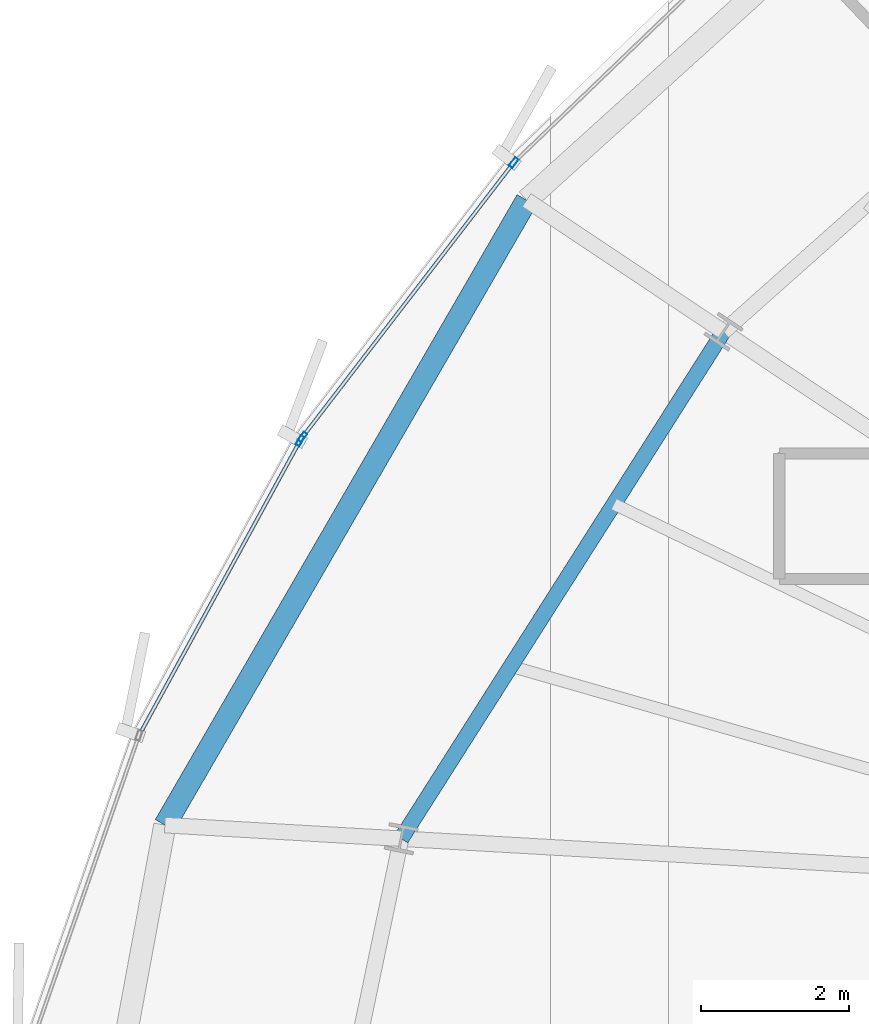
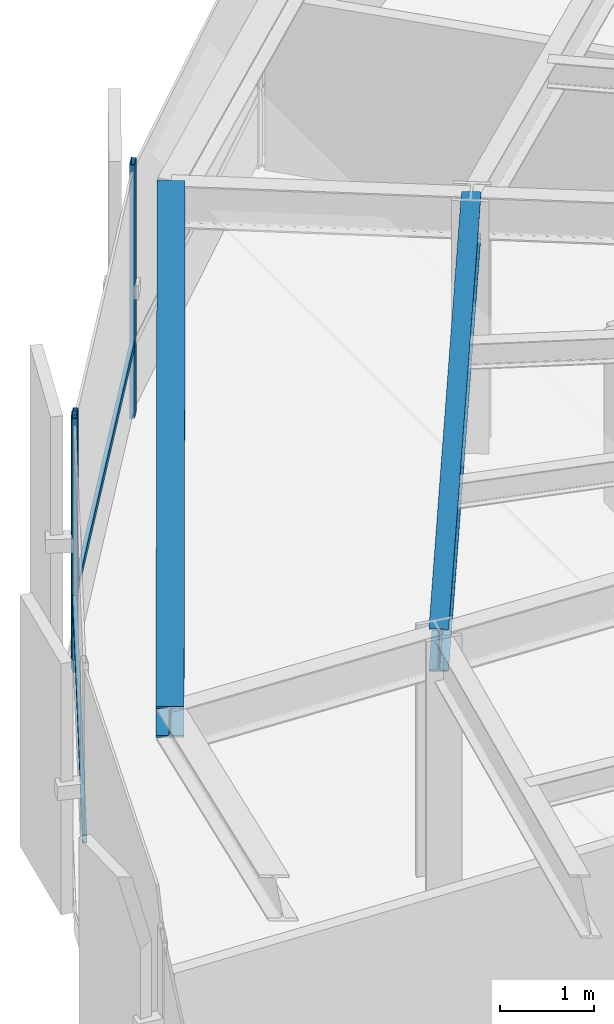
# One storey, part 17 of 32: 5 members, 2 beams, 2 elements without a shape of their own.
"""IFC4 building model written with IfcOpenShell, lengths in metres."""

from ifc_helpers import new_model, si_unit, direction, frame, origin, origin_2d, place, context, subcontext, project, spatial, hollow_rectangle, i_section, extrude, source, transform, mapped, material, layer, layer_set, material_profile, profile_set, type_object, element, aggregate, save


model = new_model("IFC4")

# Units and contexts
model_context = context("Model", 3, precision=1e-05, world=origin(), true_north=direction((0.0, 1.0)))
body_context = subcontext(model_context, "Body", "Model", "MODEL_VIEW")
ifc_project = project(units=[si_unit("LENGTHUNIT", "METRE"), si_unit("AREAUNIT", "SQUARE_METRE"), si_unit("VOLUMEUNIT", "CUBIC_METRE"), si_unit("PLANEANGLEUNIT", "RADIAN"), si_unit("MASSUNIT", "GRAM", prefix="KILO"), si_unit("THERMODYNAMICTEMPERATUREUNIT", "KELVIN")], contexts=[model_context])

# Site, building, storey
site_placement = place(None, origin())
site = spatial("IfcSite", under=ifc_project, at=site_placement, CompositionType="ELEMENT")
building_placement = place(site_placement, origin())
building = spatial("IfcBuilding", under=site, at=building_placement, Name="Kethvar Cultural Tower", CompositionType="ELEMENT")
storey_placement = place(building_placement, frame((0.0, 0.0, 160.75)))
storey = spatial("IfcBuildingStorey", under=building, at=storey_placement, Name="L41", CompositionType="ELEMENT", Elevation=160.75)

# Beams
ifc_material_1 = material(Name="Steel S355J2", Category="steel")
ifc_material_profile_1 = material_profile(ifc_material_1, i_section(OverallWidth=0.2099609375, OverallDepth=0.550048828125, WebThickness=0.010986328125, FlangeThickness=0.01708984375, FilletRadius=0.02392578125, at=origin_2d()), Name="Steel S355J2 — IPE550")
ifc_profile_set_1 = profile_set([ifc_material_profile_1], Name="Steel S355J2 — IPE550")
beam_type_1 = type_object("IfcBeamType", Name="BM-IPE550", PredefinedType="BEAM", material=ifc_profile_set_1)
shared_shape_1 = source(origin(), body_context, "Body", "SweptSolid", [
    extrude(i_section(OverallWidth=0.2099609375, OverallDepth=0.550048828125, WebThickness=0.010986328125, FlangeThickness=0.01708984375, FilletRadius=0.02392578125, at=origin_2d()), origin(), (0.0, 0.0, 1.0), 8.122314453125),
])
beam_1_placement = place(storey_placement, frame((30.345947265625, 38.794189453125, 3.02294921875), z_axis=(-0.536478664647, -0.843913883272, 0.0), x_axis=(0.843913883272, -0.536478664647, 0.0)))
element("IfcBeam", 1, at=beam_1_placement, inside=storey, type_object=beam_type_1, Name="L41 Column Ring Tie Beam CR-07", PredefinedType="BEAM", context=body_context, shape_type="MappedRepresentation", body=[
    mapped(shared_shape_1, transform((0.0, 0.0, 0.0), scale=1.0)),
])
ifc_material_profile_2 = material_profile(ifc_material_1, i_section(OverallWidth=0.300048828125, OverallDepth=0.39990234375, WebThickness=0.013427734375, FlangeThickness=0.02392578125, FilletRadius=0.027099609375, at=origin_2d()), Name="Steel S355J2 — HEB400")
ifc_profile_set_2 = profile_set([ifc_material_profile_2], Name="Steel S355J2 — HEB400")
beam_type_2 = type_object("IfcBeamType", Name="BM-SP400", PredefinedType="SPANDREL", material=ifc_profile_set_2)
shared_shape_2 = source(origin(), body_context, "Body", "SweptSolid", [
    extrude(i_section(OverallWidth=0.300048828125, OverallDepth=0.39990234375, WebThickness=0.013427734375, FlangeThickness=0.02392578125, FilletRadius=0.027099609375, at=origin_2d()), origin(), (0.0, 0.0, 1.0), 9.762939453125),
])
beam_2_placement = place(storey_placement, frame((27.685302734375, 40.572021484375, 3.097900390625), z_axis=(-0.501043170838, -0.865422290536, 0.0), x_axis=(0.865422290536, -0.501043170838, 0.0)))
element("IfcBeam", 2, at=beam_2_placement, inside=storey, type_object=beam_type_2, Name="L41 Perimeter Spandrel Beam SP-07", PredefinedType="SPANDREL", context=body_context, shape_type="MappedRepresentation", body=[
    mapped(shared_shape_2, transform((0.0, 0.0, 0.0), scale=1.0)),
])

# Curtain wall, members
ifc_material_2 = material(Name="Aluminium 6063-T6", Category="aluminium")
ifc_layer = layer(ifc_material_2, 0.179931640625, Name="Aluminium 6063-T6", Category="aluminium")
ifc_layer_set = layer_set([ifc_layer], Name="Aluminium 6063-T6 (180 mm)")
curtain_wall_type = type_object("IfcCurtainWallType", Name="CW-SYS-04-Z34", PredefinedType="NOTDEFINED", material=ifc_layer_set)
curtain_wall_1_placement = place(storey_placement, origin())
curtain_wall_1 = element("IfcCurtainWall", 3, at=curtain_wall_1_placement, inside=storey, type_object=curtain_wall_type, Name="L41 Curtain Wall Run 02", PredefinedType="NOTDEFINED")
ifc_material_profile_3 = material_profile(ifc_material_2, hollow_rectangle(XDim=0.06005859375, YDim=0.139892578125, WallThickness=0.0048828125, at=origin_2d()), Name="Aluminium 6063-T6 — RHS140x60x5")
ifc_profile_set_3 = profile_set([ifc_material_profile_3], Name="Aluminium 6063-T6 — RHS140x60x5")
member_type_1 = type_object("IfcMemberType", Name="CW-SYS-04-Z34-MUL", PredefinedType="MULLION", material=ifc_profile_set_3)
shared_shape_3 = source(origin(), body_context, "Body", "SweptSolid", [
    extrude(hollow_rectangle(XDim=0.06005859375, YDim=0.139892578125, WallThickness=0.0048828125, at=origin_2d()), origin(), (0.0, 0.0, 1.0), 3.300048828125),
])
member_1_placement = place(storey_placement, frame((27.509765625, 41.080078125, 0.0), z_axis=(0.0, 0.0, 1.0), x_axis=(0.792502575922, -0.609868565477, 0.0)))
member_1 = element("IfcMember", 4, at=member_1_placement, type_object=member_type_1, Name="CW-L41-R02 Mullion 6", PredefinedType="MULLION", context=body_context, shape_type="MappedRepresentation", body=[
    mapped(shared_shape_3, transform((0.0, 0.0, 0.0), scale=1.0)),
])
member_2_placement = place(storey_placement, frame((24.654052734375, 37.369384765625, 0.0), z_axis=(0.0, 0.0, 1.0), x_axis=(0.792502575922, -0.609868565477, 0.0)))
member_2 = element("IfcMember", 5, at=member_2_placement, type_object=member_type_1, Name="CW-L41-R02 Mullion 7", PredefinedType="MULLION", context=body_context, shape_type="MappedRepresentation", body=[
    mapped(shared_shape_3, transform((0.0, 0.0, 0.0), scale=1.0)),
])

# Curtain wall, member
curtain_wall_2_placement = place(storey_placement, origin())
curtain_wall_2 = element("IfcCurtainWall", 6, at=curtain_wall_2_placement, inside=storey, type_object=curtain_wall_type, Name="L41 Curtain Wall Run 03", PredefinedType="NOTDEFINED")
member_3_placement = place(storey_placement, frame((24.620849609375, 37.318603515625, 0.0), z_axis=(0.0, 0.0, 1.0), x_axis=(0.877623473997, -0.479350641899, 0.0)))
member_3 = element("IfcMember", 7, at=member_3_placement, type_object=member_type_1, Name="CW-L41-R03 Mullion 1", PredefinedType="MULLION", context=body_context, shape_type="MappedRepresentation", body=[
    mapped(shared_shape_3, transform((0.0, 0.0, 0.0), scale=1.0)),
])

# Member
ifc_material_profile_4 = material_profile(ifc_material_2, hollow_rectangle(XDim=0.050048828125, YDim=0.10009765625, WallThickness=0.00390625, at=origin_2d()), Name="Aluminium 6063-T6 — RHS100x50x4")
ifc_profile_set_4 = profile_set([ifc_material_profile_4], Name="Aluminium 6063-T6 — RHS100x50x4")
member_type_2 = type_object("IfcMemberType", Name="CW-SYS-04-Z34-TRN", PredefinedType="USERDEFINED", material=ifc_profile_set_4)
shared_shape_4 = source(origin(), body_context, "Body", "SweptSolid", [
    extrude(hollow_rectangle(XDim=0.050048828125, YDim=0.10009765625, WallThickness=0.00390625, at=origin_2d()), origin(), (0.0, 0.0, 1.0), 4.635009765625),
])
member_4_placement = place(storey_placement, frame((27.4833984375, 41.0458984375, 0.949951171875), z_axis=(-0.609906750381, -0.79247318935, 0.0), x_axis=(0.79247318935, -0.609906750381, 0.0)))
member_4 = element("IfcMember", 8, at=member_4_placement, type_object=member_type_2, Name="CW-L41-R02 Transom 6", ObjectType="TRANSOM", PredefinedType="USERDEFINED", context=body_context, shape_type="MappedRepresentation", body=[
    mapped(shared_shape_4, transform((0.0, 0.0, 0.0), scale=1.0)),
])

aggregate(curtain_wall_1, [member_1, member_2, member_4])

shared_shape_5 = source(origin(), body_context, "Body", "SweptSolid", [
    extrude(hollow_rectangle(XDim=0.050048828125, YDim=0.10009765625, WallThickness=0.00390625, at=origin_2d()), origin(), (0.0, 0.0, 1.0), 4.510009765625),
])
member_5_placement = place(storey_placement, frame((24.618896484375, 37.31494140625, 0.949951171875), z_axis=(-0.479356497679, -0.877620275593, 0.0), x_axis=(0.877620275593, -0.479356497679, 0.0)))
member_5 = element("IfcMember", 9, at=member_5_placement, type_object=member_type_2, Name="CW-L41-R03 Transom 1", ObjectType="TRANSOM", PredefinedType="USERDEFINED", context=body_context, shape_type="MappedRepresentation", body=[
    mapped(shared_shape_5, transform((0.0, 0.0, 0.0), scale=1.0)),
])

aggregate(curtain_wall_2, [member_3, member_5])

save(model, "model.ifc")
